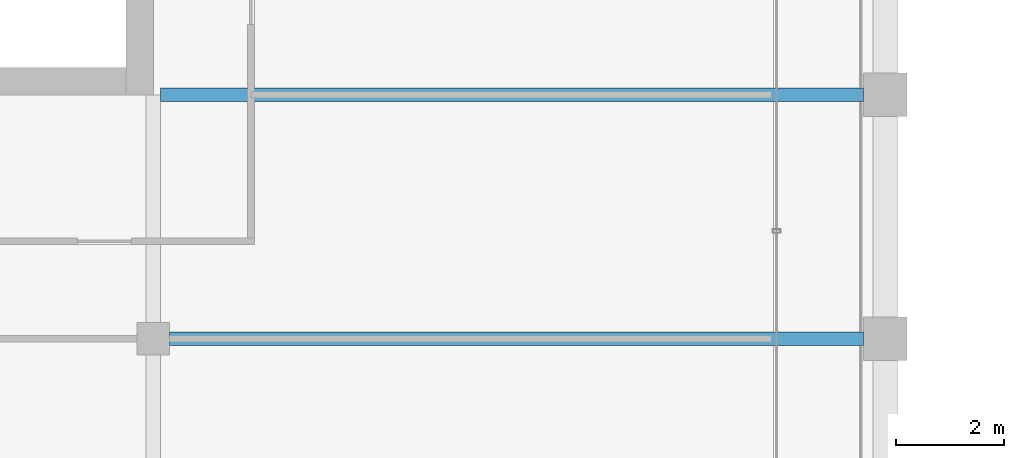
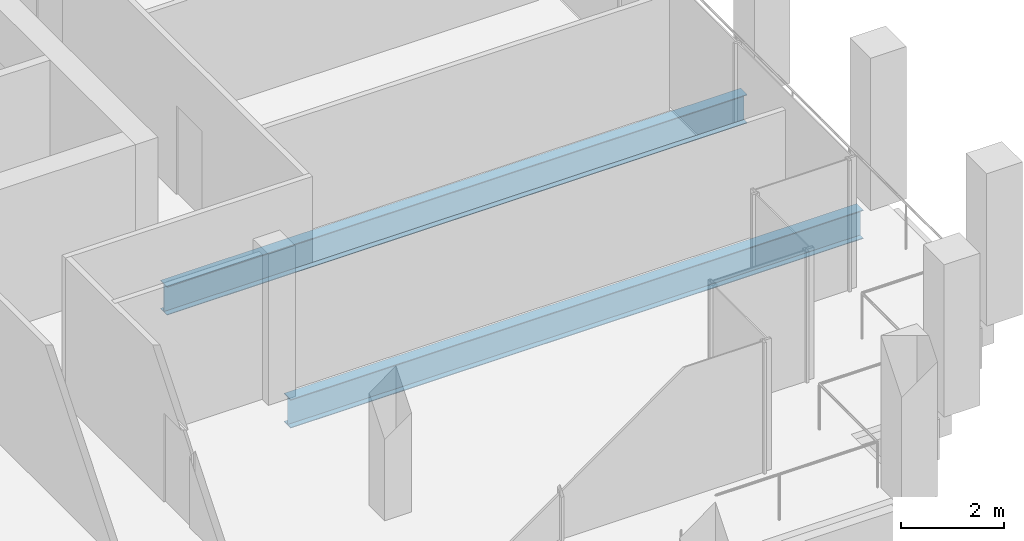
# One storey, part 16 of 62: 2 beams.
"""IFC4 building model written with IfcOpenShell, lengths in metres."""

from ifc_helpers import new_model, si_unit, direction, frame, origin, origin_2d, place, context, subcontext, project, spatial, i_section, extrude, material, material_profile, profile_set, type_object, element, save


model = new_model("IFC4")

# Units and contexts
model_context = context("Model", 3, precision=1e-05, world=origin(), true_north=direction((0.0, 1.0)))
body_context = subcontext(model_context, "Body", "Model", "MODEL_VIEW")
ifc_project = project(units=[si_unit("LENGTHUNIT", "METRE"), si_unit("AREAUNIT", "SQUARE_METRE"), si_unit("VOLUMEUNIT", "CUBIC_METRE"), si_unit("PLANEANGLEUNIT", "RADIAN"), si_unit("MASSUNIT", "GRAM", prefix="KILO")], contexts=[model_context])

# Site, building, storey
site_placement = place(None, origin())
site = spatial("IfcSite", under=ifc_project, at=site_placement, CompositionType="ELEMENT")
building_placement = place(site_placement, origin())
building = spatial("IfcBuilding", under=site, at=building_placement, Name="Altepetl Exchange Towers", CompositionType="ELEMENT")
storey_placement = place(building_placement, frame((0.0, 0.0, 210.0)))
storey = spatial("IfcBuildingStorey", under=building, at=storey_placement, Name="L53", CompositionType="ELEMENT", Elevation=210.0)

# Beams
ifc_material = material(Name="Steel S355", Category="steel")
ifc_material_profile = material_profile(ifc_material, i_section(OverallWidth=0.2529296875, OverallDepth=0.677978515625, WebThickness=0.01171875, FlangeThickness=0.016357421875, at=origin_2d()), Name="W27X84")
ifc_profile_set = profile_set([ifc_material_profile], Name="Steel S355")
beam_type = type_object("IfcBeamType", Name="Floor beam W27X84", PredefinedType="BEAM", material=ifc_profile_set)
beam_1_placement = place(storey_placement, frame((58.800048828125, 36.0, -0.489013671875), z_axis=(1.0, 0.0, 0.0), x_axis=(0.0, 1.0, 0.0)))
element("IfcBeam", 1, at=beam_1_placement, inside=storey, type_object=beam_type, Name="bm:A:L53:007", PredefinedType="BEAM", context=body_context, shape_type="SweptSolid", body=[
    extrude(i_section(OverallWidth=0.2529296875, OverallDepth=0.677978515625, WebThickness=0.01171875, FlangeThickness=0.016357421875, at=origin_2d()), origin(), (0.0, 0.0, 1.0), 12.800048828125),
])
beam_2_placement = place(storey_placement, frame((58.634033203125, 40.5, -0.489013671875), z_axis=(1.0, 0.0, 0.0), x_axis=(0.0, 1.0, 0.0)))
element("IfcBeam", 2, at=beam_2_placement, inside=storey, type_object=beam_type, Name="bm:A:L53:008", PredefinedType="BEAM", context=body_context, shape_type="SweptSolid", body=[
    extrude(i_section(OverallWidth=0.2529296875, OverallDepth=0.677978515625, WebThickness=0.01171875, FlangeThickness=0.016357421875, at=origin_2d()), origin(), (0.0, 0.0, 1.0), 12.966064453125),
])

save(model, "model.ifc")
